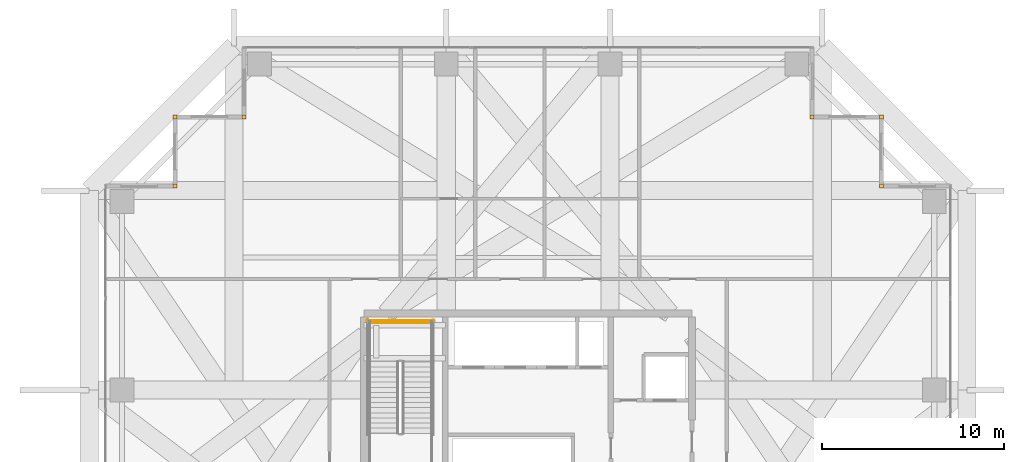
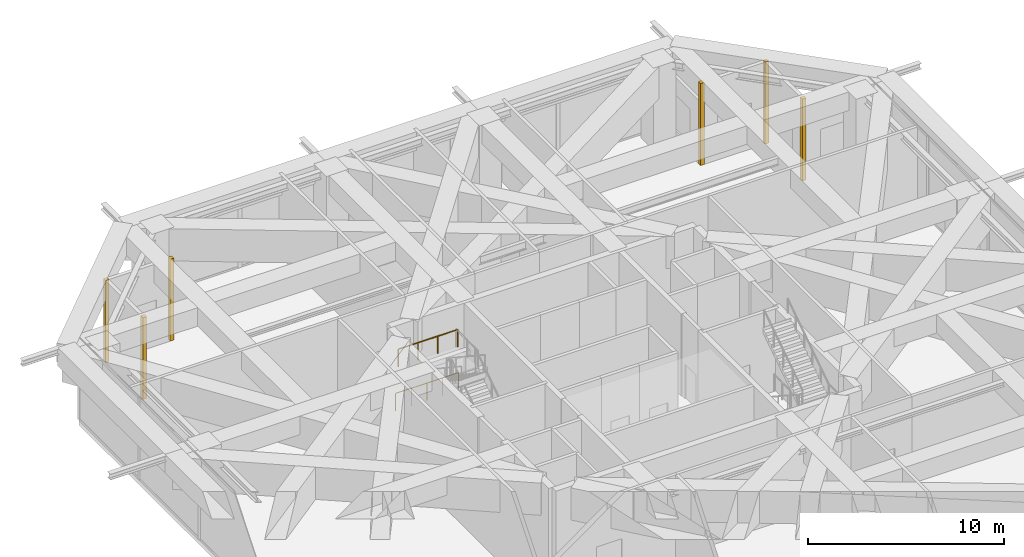
# One storey, part 38 of 38: 6 coverings, 2 railings.
"""IFC4 building model written with IfcOpenShell, lengths in metres."""

import ifcopenshell
import ifcopenshell.guid

model = None  # the IFC model being written
_history = None  # IfcOwnerHistory: only IFC2X3 demands one
_inside = {}  # id of a spatial element -> (the spatial element, [elements in it])
_under = {}  # id of a project, library or spatial element -> (it, [spatial elements below it])
_declared = {}  # id of a project -> (the project, [libraries it declares])
_typed = {}  # id of a type object -> (the type object, [elements of that type])
_made_of = {}  # id of a material, layer set ... -> (it, [elements and type objects made of it])


def new_model(schema):
    """Start an empty IFC model of exactly this schema.

    Asked for "IFC4X3", IfcOpenShell would pick the latest addendum, in which some entities
    have other attributes; the version numbers below select the first issue.
    IFC2X3 requires an IfcOwnerHistory on every rooted entity: one is made here for all.
    """
    global model, _history
    if schema == "IFC4X3":
        model = ifcopenshell.file(schema_version=(4, 3, 0, 0))
    else:
        model = ifcopenshell.file(schema=schema)
    _inside.clear()
    _under.clear()
    _declared.clear()
    _typed.clear()
    _made_of.clear()
    _history = None
    if model.schema == "IFC2X3":
        org = make("IfcOrganization", Name="unknown")
        user = make(
            "IfcPersonAndOrganization",
            ThePerson=make("IfcPerson", FamilyName="unknown"),
            TheOrganization=org,
        )
        app = make(
            "IfcApplication",
            ApplicationDeveloper=org,
            Version="unknown",
            ApplicationFullName="unknown",
            ApplicationIdentifier="unknown",
        )
        _history = make(
            "IfcOwnerHistory",
            OwningUser=user,
            OwningApplication=app,
            ChangeAction="ADDED",
            CreationDate=0,
        )
    return model


def make(cls, **values):
    """One entity of the class cls with the attributes given. An attribute that is None is left unset."""
    return model.create_entity(
        cls, **{name: value for name, value in values.items() if value is not None}
    )


def rooted(cls, **values):
    """An entity with a GlobalId (a new one), such as an element, a storey or a relation."""
    return make(cls, GlobalId=ifcopenshell.guid.new(), OwnerHistory=_history, **values)


def si_unit(unit_type, name, prefix=None):
    """IfcSIUnit, for example si_unit("LENGTHUNIT", "METRE", prefix="MILLI")."""
    return make("IfcSIUnit", UnitType=unit_type, Prefix=prefix, Name=name)


def assignment(units):
    """IfcUnitAssignment: the units of a project."""
    return None if units is None else make("IfcUnitAssignment", Units=units)


def point(xyz):
    """IfcCartesianPoint."""
    return None if xyz is None else make("IfcCartesianPoint", Coordinates=xyz)


def direction(xyz):
    """IfcDirection."""
    return None if xyz is None else make("IfcDirection", DirectionRatios=xyz)


def frame(location, z_axis=None, x_axis=None):
    """IfcAxis2Placement3D, a coordinate frame: its origin and axes. An axis left out is left unset."""
    return make(
        "IfcAxis2Placement3D",
        Location=point(location),
        Axis=direction(z_axis),
        RefDirection=direction(x_axis),
    )


def frame_2d(location, x_axis=None):
    """IfcAxis2Placement2D, a coordinate frame in the plane: its origin and x axis."""
    return make(
        "IfcAxis2Placement2D", Location=point(location), RefDirection=direction(x_axis)
    )


def origin():
    """The frame at (0, 0, 0) with its axes left unset."""
    return frame((0.0, 0.0, 0.0))


def origin_2d():
    """The frame at (0, 0) in the plane with its x axis left unset."""
    return frame_2d((0.0, 0.0))


def place(relative_to, where):
    """IfcLocalPlacement: puts the frame where relative to a parent placement (None: the world)."""
    return make(
        "IfcLocalPlacement", PlacementRelTo=relative_to, RelativePlacement=where
    )


def context(
    kind, dimensions, precision=None, world=None, true_north=None, identifier=None
):
    """IfcGeometricRepresentationContext, for example the 3D "Model" context."""
    return make(
        "IfcGeometricRepresentationContext",
        ContextIdentifier=identifier,
        ContextType=kind,
        CoordinateSpaceDimension=dimensions,
        Precision=precision,
        WorldCoordinateSystem=world,
        TrueNorth=true_north,
    )


def subcontext(parent, identifier, kind, view, scale=None):
    """IfcGeometricRepresentationSubContext, for example "Body" below "Model"."""
    return make(
        "IfcGeometricRepresentationSubContext",
        ContextIdentifier=identifier,
        ContextType=kind,
        ParentContext=parent,
        TargetScale=scale,
        TargetView=view,
    )


def project(units=None, contexts=None):
    """IfcProject with its units and contexts."""
    return rooted(
        "IfcProject",
        Name="project",
        RepresentationContexts=contexts,
        UnitsInContext=assignment(units),
    )


def spatial(cls, under=None, at=None, **own):
    """A site, building, storey or space (cls), placed at a placement, below another one or the project."""
    s = rooted(cls, ObjectPlacement=at, **own)
    if under is not None:
        _under.setdefault(under.id(), (under, []))[1].append(s)
    return s


def profile(cls, at=None, kind="AREA", **sizes):
    """A parametric profile (cls). Its sizes go by their IFC names, for example OverallWidth=200.0."""
    return make(cls, ProfileType=kind, Position=at, **sizes)


def rectangle(**sizes):
    """IfcRectangleProfileDef."""
    return profile("IfcRectangleProfileDef", **sizes)


def circle(**sizes):
    """IfcCircleProfileDef."""
    return profile("IfcCircleProfileDef", **sizes)


def extrude(swept, where, along, depth):
    """IfcExtrudedAreaSolid: the profile swept, set in the frame where, extruded along a direction by depth."""
    return make(
        "IfcExtrudedAreaSolid",
        SweptArea=swept,
        Position=where,
        ExtrudedDirection=direction(along),
        Depth=depth,
    )


def shape(context_of_items, identifier, shape_type, items):
    """IfcShapeRepresentation: the items that make up one representation, for example the "Body"."""
    return make(
        "IfcShapeRepresentation",
        ContextOfItems=context_of_items,
        RepresentationIdentifier=identifier,
        RepresentationType=shape_type,
        Items=items,
    )


def source(mapping_origin, context_of_items, identifier, shape_type, items):
    """IfcRepresentationMap: a shape defined once, which mapped items show again and again."""
    return make(
        "IfcRepresentationMap",
        MappingOrigin=mapping_origin,
        MappedRepresentation=shape(context_of_items, identifier, shape_type, items),
    )


def transform(
    local_origin,
    x_axis=None,
    y_axis=None,
    z_axis=None,
    scale=None,
    scale2=None,
    scale3=None,
    uniform=True,
):
    """IfcCartesianTransformationOperator3D, or its non-uniform kind. x_axis, y_axis, z_axis: its Axis1, 2, 3."""
    if uniform:
        return make(
            "IfcCartesianTransformationOperator3D",
            Axis1=direction(x_axis),
            Axis2=direction(y_axis),
            LocalOrigin=point(local_origin),
            Scale=scale,
            Axis3=direction(z_axis),
        )
    return make(
        "IfcCartesianTransformationOperator3DnonUniform",
        Axis1=direction(x_axis),
        Axis2=direction(y_axis),
        LocalOrigin=point(local_origin),
        Scale=scale,
        Axis3=direction(z_axis),
        Scale2=scale2,
        Scale3=scale3,
    )


def mapped(mapping_source, mapping_target):
    """IfcMappedItem: shows the shape of a source again, moved by a transform."""
    return make(
        "IfcMappedItem", MappingSource=mapping_source, MappingTarget=mapping_target
    )


def material(Name=None, Category=None):
    """IfcMaterial."""
    return make("IfcMaterial", Name=Name, Category=Category)


def layer(
    of_material, thickness, ventilated=None, Name=None, Category=None, Priority=None
):
    """IfcMaterialLayer: one layer of a wall or slab, of a material (None: an air gap)."""
    return make(
        "IfcMaterialLayer",
        Material=of_material,
        LayerThickness=thickness,
        IsVentilated=ventilated,
        Name=Name,
        Category=Category,
        Priority=Priority,
    )


def layer_set(layers, Name=None):
    """IfcMaterialLayerSet."""
    return make("IfcMaterialLayerSet", MaterialLayers=layers, LayerSetName=Name)


def made_of(thing, what):
    """Note that an element or type object is made of a material, layer set ...; save() writes the relation."""
    if what is not None:
        _made_of.setdefault(what.id(), (what, []))[1].append(thing)
    return thing


def type_object(cls, material=None, **own):
    """A type object (cls), such as IfcWallType, which elements share."""
    return made_of(rooted(cls, **own), material)


def element(
    cls,
    number,
    at=None,
    inside=None,
    cuts=None,
    type_object=None,
    material=None,
    context=None,
    identifier="Body",
    shape_type=None,
    held_by="IfcProductDefinitionShape",
    body=None,
    shapes=None,
    **own,
):
    """One element of the class cls, such as IfcWall. Its Tag is "e" and its number.

    at: its placement. inside: the storey or other place that contains it. cuts: it is an
    opening in that element (IfcRelVoidsElement). A single representation is given by context,
    identifier, shape_type and body (its items); several are given by shapes. held_by: the class
    of the entity that holds the representations. save() writes the other relations.
    """
    e = rooted(cls, Tag="e%d" % number, ObjectPlacement=at, **own)
    if body is not None:
        shapes = [shape(context, identifier, shape_type, body)]
    if shapes is not None:
        e.Representation = make(held_by, Representations=shapes)
    if inside is not None:
        _inside.setdefault(inside.id(), (inside, []))[1].append(e)
    if cuts is not None:
        rooted(
            "IfcRelVoidsElement", RelatingBuildingElement=cuts, RelatedOpeningElement=e
        )
    if type_object is not None:
        _typed.setdefault(type_object.id(), (type_object, []))[1].append(e)
    return made_of(e, material)


def aggregate(whole, parts):
    """IfcRelAggregates: a whole, such as a stair, and the parts it consists of."""
    return rooted("IfcRelAggregates", RelatingObject=whole, RelatedObjects=parts)


def save(model, path):
    """Write the relations noted so far, then the file.

    IfcRelAggregates (storeys below a building ...), IfcRelContainedInSpatialStructure (elements
    in a storey), IfcRelDefinesByType, IfcRelAssociatesMaterial and IfcRelDeclares: one each for
    every whole, place, type object, material and project.
    """
    for whole, parts in _under.values():
        aggregate(whole, parts)
    for where, things in _inside.values():
        rooted(
            "IfcRelContainedInSpatialStructure",
            RelatedElements=things,
            RelatingStructure=where,
        )
    for kind, things in _typed.values():
        rooted("IfcRelDefinesByType", RelatedObjects=things, RelatingType=kind)
    for what, things in _made_of.values():
        rooted("IfcRelAssociatesMaterial", RelatedObjects=things, RelatingMaterial=what)
    for by, libraries in _declared.values():
        rooted("IfcRelDeclares", RelatingContext=by, RelatedDefinitions=libraries)
    model.write(path)


model = new_model("IFC4")

# Units and contexts
model_context = context("Model", 3, precision=1e-05, world=origin(), true_north=direction((0.0, 1.0)))
body_context = subcontext(model_context, "Body", "Model", "MODEL_VIEW")
ifc_project = project(units=[si_unit("LENGTHUNIT", "METRE"), si_unit("AREAUNIT", "SQUARE_METRE"), si_unit("VOLUMEUNIT", "CUBIC_METRE"), si_unit("PLANEANGLEUNIT", "RADIAN"), si_unit("MASSUNIT", "GRAM", prefix="KILO")], contexts=[model_context])

# Site, building, storey
site_placement = place(None, origin())
site = spatial("IfcSite", under=ifc_project, at=site_placement, CompositionType="ELEMENT")
building_placement = place(site_placement, origin())
building = spatial("IfcBuilding", under=site, at=building_placement, Name="Serunith Strait Residences", CompositionType="ELEMENT")
storey_placement = place(building_placement, frame((0.0, 0.0, 204.89990234375)))
storey = spatial("IfcBuildingStorey", under=building, at=storey_placement, Name="L51", CompositionType="ELEMENT", Elevation=204.89990234375)

# Railings
ifc_material_1 = material(Name="Brushed stainless steel 316L", Category="steel")
railing_type = type_object("IfcRailingType", Name="RLG-STAIR-GUARD", PredefinedType="BALUSTRADE", material=ifc_material_1)
railing_1_placement = place(storey_placement, frame((27.14990234375, 33.10009765625, 2.775146484375)))
element("IfcRailing", 1, at=railing_1_placement, inside=storey, type_object=railing_type, Name="L51 ST-1 stair guard 5", PredefinedType="BALUSTRADE", context=body_context, shape_type="SweptSolid", body=[
    extrude(circle(Radius=0.02392578125, at=origin_2d()), frame((-0.001953125, 0.0, 1.076171875), z_axis=(-1.0, 0.0, 0.0), x_axis=(0.0, -1.0, 0.0)), (0.0, 0.0, 1.0), 3.49609375),
    extrude(circle(Radius=0.02099609375, at=origin_2d()), origin(), (0.0, 0.0, 1.0), 1.050048828125),
    extrude(circle(Radius=0.02099609375, at=origin_2d()), frame((-1.166748046875, 0.0, 0.0)), (0.0, 0.0, 1.0), 1.050048828125),
    extrude(circle(Radius=0.02099609375, at=origin_2d()), frame((-2.333251953125, 0.0, 0.0)), (0.0, 0.0, 1.0), 1.050048828125),
    extrude(circle(Radius=0.02099609375, at=origin_2d()), frame((-3.5, 0.0, 0.0)), (0.0, 0.0, 1.0), 1.050048828125),
])
railing_2_placement = place(storey_placement, frame((27.25, 33.199951171875, 0.0)))
element("IfcRailing", 2, at=railing_2_placement, inside=storey, type_object=railing_type, Name="L51 ST-1 stair guard 12", PredefinedType="BALUSTRADE", context=body_context, shape_type="SweptSolid", body=[
    extrude(circle(Radius=0.02392578125, at=origin_2d()), frame((-0.001953125, 0.0, 1.076171875), z_axis=(-1.0, 0.0, 0.0), x_axis=(0.0, -1.0, 0.0)), (0.0, 0.0, 1.0), 3.696044921875),
    extrude(circle(Radius=0.02099609375, at=origin_2d()), origin(), (0.0, 0.0, 1.0), 1.050048828125),
    extrude(circle(Radius=0.02099609375, at=origin_2d()), frame((-0.925048828125, 0.0, 0.0)), (0.0, 0.0, 1.0), 1.050048828125),
    extrude(circle(Radius=0.02099609375, at=origin_2d()), frame((-1.85009765625, 0.0, 0.0)), (0.0, 0.0, 1.0), 1.050048828125),
    extrude(circle(Radius=0.02099609375, at=origin_2d()), frame((-2.77490234375, 0.0, 0.0)), (0.0, 0.0, 1.0), 1.050048828125),
    extrude(circle(Radius=0.02099609375, at=origin_2d()), frame((-3.699951171875, 0.0, 0.0)), (0.0, 0.0, 1.0), 1.050048828125),
])

# Coverings
ifc_material_2 = material(Name="Pale-Champagne Anodised Aluminium", Category="aluminium")
ifc_layer = layer(ifc_material_2, 0.219970703125, Name="Pale-Champagne Anodised Aluminium")
ifc_layer_set = layer_set([ifc_layer], Name="Pale-Champagne Anodised Aluminium")
covering_type = type_object("IfcCoveringType", Name="COV-CORN-TRIM", PredefinedType="CLADDING", material=ifc_layer_set)
shared_shape = source(origin(), body_context, "Body", "SweptSolid", [
    extrude(rectangle(XDim=0.221923828125, YDim=0.221923828125, at=origin_2d()), origin(), (0.0, 0.0, 1.0), 5.094970703125),
])
for number, where, z_axis, x_axis, name in (
    (3, (51.800048828125, 40.60009765625, 0.0), (0.0, 0.0, 1.0), (1.0, 0.0, 0.0), "L51 Girih Serrated Corner Trim Post 07"),
    (4, (51.800048828125, 44.39990234375, 0.0), (0.0, 0.0, 1.0), (1.0, 0.0, 0.0), "L51 Girih Serrated Corner Trim Post 08"),
    (5, (48.0, 44.39990234375, 0.0), (0.0, 0.0, 1.0), (1.0, 0.0, 0.0), "L51 Girih Serrated Corner Trim Post 09"),
    (6, (16.800048828125, 44.39990234375, 0.0), (0.0, 0.0, 1.0), (1.0, 0.0, 0.0), "L51 Girih Serrated Corner Trim Post 12"),
    (7, (13.0, 44.39990234375, 0.0), (0.0, 0.0, 1.0), (1.0, 0.0, 0.0), "L51 Girih Serrated Corner Trim Post 13"),
    (8, (13.0, 40.60009765625, 0.0), (0.0, 0.0, 1.0), (1.0, 0.0, 0.0), "L51 Girih Serrated Corner Trim Post 14"),
):
    element("IfcCovering", number, at=place(storey_placement, frame(where, z_axis=z_axis, x_axis=x_axis)), inside=storey, type_object=covering_type, Name=name, PredefinedType="CLADDING", context=body_context, shape_type="MappedRepresentation", body=[
        mapped(shared_shape, transform((0.0, 0.0, 0.0), scale=1.0)),
    ])

save(model, "model.ifc")
